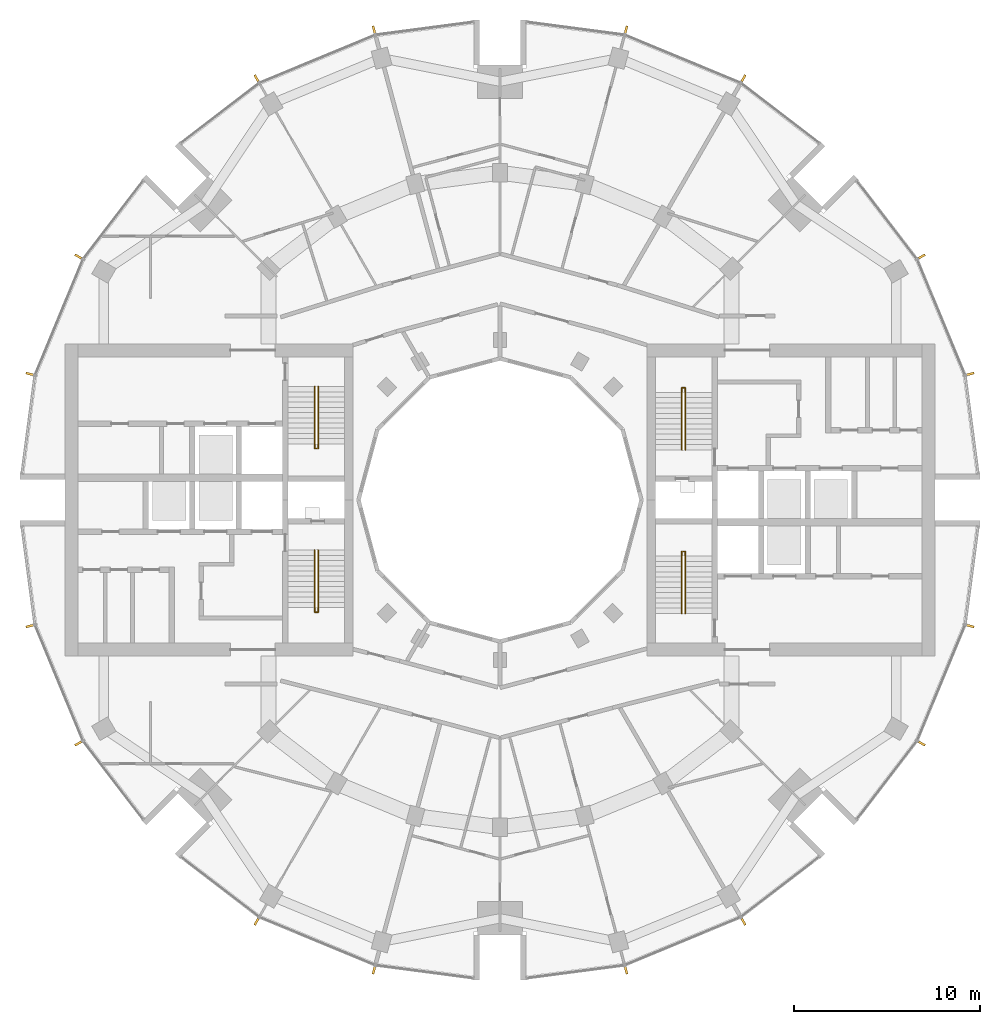
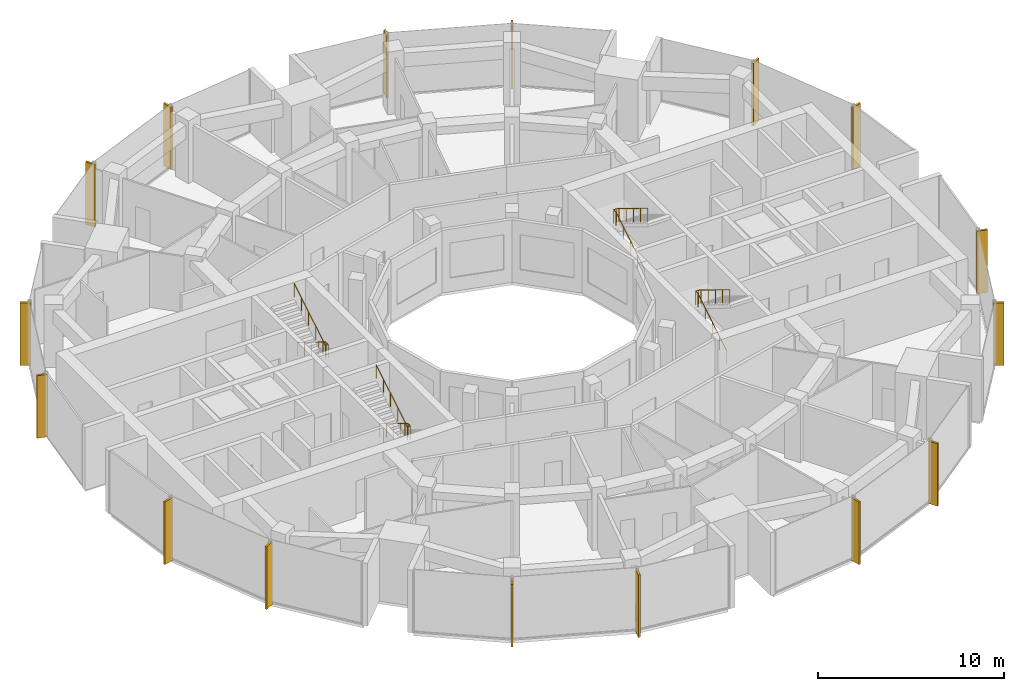
# One storey, part 14 of 15: 16 shading devices, 4 railings.
"""IFC4 building model written with IfcOpenShell, lengths in metres."""

from ifc_helpers import new_model, si_unit, direction, frame, origin, origin_2d, place, context, subcontext, project, spatial, rectangle, circle, extrude, material, material_profile, profile_set, type_object, element, save


model = new_model("IFC4")

# Units and contexts
model_context = context("Model", 3, precision=1e-05, world=origin(), true_north=direction((0.0, 1.0)))
body_context = subcontext(model_context, "Body", "Model", "MODEL_VIEW")
ifc_project = project(units=[si_unit("LENGTHUNIT", "METRE"), si_unit("AREAUNIT", "SQUARE_METRE"), si_unit("VOLUMEUNIT", "CUBIC_METRE"), si_unit("PLANEANGLEUNIT", "RADIAN"), si_unit("MASSUNIT", "GRAM", prefix="KILO")], contexts=[model_context])

# Site, building, storey
site_placement = place(None, origin())
site = spatial("IfcSite", under=ifc_project, at=site_placement, CompositionType="ELEMENT")
building_placement = place(site_placement, origin())
building = spatial("IfcBuilding", under=site, at=building_placement, Name="Torre Brocal", CompositionType="ELEMENT")
storey_placement = place(building_placement, frame((0.0, 0.0, 202.800048828125)))
storey = spatial("IfcBuildingStorey", under=building, at=storey_placement, Name="L47", CompositionType="ELEMENT", Elevation=202.800048828125)

# Shading devices
ifc_material_1 = material(Name="Aluminium, black anodised", Category="aluminium")
ifc_material_profile = material_profile(ifc_material_1, rectangle(XDim=0.1201171875, YDim=0.60009765625, at=origin_2d()), Name="FIN 120X600 4100 HIGH")
ifc_profile_set = profile_set([ifc_material_profile], Name="Aluminium, black anodised")
shading_device_type = type_object("IfcShadingDeviceType", Name="FIN 120X600 4100 HIGH", PredefinedType="USERDEFINED", material=ifc_profile_set)
for number, where, z_axis, x_axis, name in (
    (1, (105.208984375, 81.754638671875, -0.150146484375), (0.0, 0.0, 1.0), (-0.258819045103, 0.965925826289, 0.0), "FIN"),
    (2, (102.601806640625, 88.049072265625, -0.150146484375), (0.0, 0.0, 1.0), (-0.5, 0.866025403784, 0.0), "FIN"),
    (3, (93.049072265625, 97.601806640625, -0.150146484375), (0.0, 0.0, 1.0), (-0.866025403784, 0.5, 0.0), "FIN"),
    (4, (86.754638671875, 100.208984375, -0.150146484375), (0.0, 0.0, 1.0), (-0.965925826289, 0.258819045103, 0.0), "FIN"),
    (5, (73.245361328125, 100.208984375, -0.150146484375), (0.0, 0.0, 1.0), (-0.965925826289, -0.258819045103, 0.0), "FIN"),
    (6, (66.950927734375, 97.601806640625, -0.150146484375), (0.0, 0.0, 1.0), (-0.866025403784, -0.5, 0.0), "FIN"),
    (7, (57.398193359375, 88.049072265625, -0.150146484375), (0.0, 0.0, 1.0), (-0.5, -0.866025403784, 0.0), "FIN"),
    (8, (54.791015625, 81.754638671875, -0.150146484375), (0.0, 0.0, 1.0), (-0.258819045103, -0.965925826289, 0.0), "FIN"),
    (9, (54.791015625, 68.245361328125, -0.150146484375), (0.0, 0.0, 1.0), (0.258819045103, -0.965925826289, 0.0), "FIN"),
    (10, (57.398193359375, 61.950927734375, -0.150146484375), (0.0, 0.0, 1.0), (0.5, -0.866025403784, 0.0), "FIN"),
    (11, (66.950927734375, 52.398193359375, -0.150146484375), (0.0, 0.0, 1.0), (0.866025403784, -0.5, 0.0), "FIN"),
    (12, (73.245361328125, 49.791015625, -0.150146484375), (0.0, 0.0, 1.0), (0.965925826289, -0.258819045103, 0.0), "FIN"),
    (13, (86.754638671875, 49.791015625, -0.150146484375), (0.0, 0.0, 1.0), (0.965925826289, 0.258819045103, 0.0), "FIN"),
    (14, (93.049072265625, 52.398193359375, -0.150146484375), (0.0, 0.0, 1.0), (0.866025403784, 0.5, 0.0), "FIN"),
    (15, (102.601806640625, 61.950927734375, -0.150146484375), (0.0, 0.0, 1.0), (0.5, 0.866025403784, 0.0), "FIN"),
    (16, (105.208984375, 68.245361328125, -0.150146484375), (0.0, 0.0, 1.0), (0.258819045103, 0.965925826289, 0.0), "FIN"),
):
    element("IfcShadingDevice", number, at=place(storey_placement, frame(where, z_axis=z_axis, x_axis=x_axis)), inside=storey, type_object=shading_device_type, Name=name, ObjectType="FIN", PredefinedType="USERDEFINED", context=body_context, shape_type="SweptSolid", body=[
        extrude(rectangle(XDim=0.1201171875, YDim=0.60009765625, at=origin_2d()), origin(), (0.0, 0.0, 1.0), 4.10009765625),
    ])

# Railings
ifc_material_2 = material(Name="Stainless steel AISI 316", Category="steel")
railing_type = type_object("IfcRailingType", Name="STAIR HANDRAIL", PredefinedType="HANDRAIL", material=ifc_material_2)
railing_1_placement = place(storey_placement, frame((89.780029296875, 77.699951171875, 0.1708984375)))
element("IfcRailing", 17, at=railing_1_placement, inside=storey, type_object=railing_type, Name="HANDRAIL ST1", PredefinedType="HANDRAIL", context=body_context, shape_type="SweptSolid", body=[
    extrude(circle(Radius=0.02392578125, at=origin_2d()), frame((0.0, 0.0, 0.8759765625), z_axis=(0.0, 0.853666305674, 0.52082035152), x_axis=(-1.0, 0.0, 0.0)), (0.0, 0.0, 1.0), 3.608154296875),
    extrude(circle(Radius=0.02392578125, at=origin_2d()), frame((0.0, 3.080078125, 2.7548828125), z_axis=(0.0, 1.0, 0.0), x_axis=(-1.0, 0.0, 0.0)), (0.0, 0.0, 1.0), 0.25),
    extrude(circle(Radius=0.02392578125, at=origin_2d()), frame((0.0, 3.330078125, 2.7548828125), z_axis=(1.0, 0.0, 0.0), x_axis=(0.0, 1.0, 0.0)), (0.0, 0.0, 1.0), 0.18994140625),
    extrude(circle(Radius=0.02392578125, at=origin_2d()), frame((0.18994140625, 3.330078125, 2.7548828125), z_axis=(0.0, -0.825920066408, 0.563787232832), x_axis=(1.0, 0.0, 0.0)), (0.0, 0.0, 1.0), 0.302734375),
    extrude(circle(Radius=0.02392578125, at=origin_2d()), frame((0.18994140625, 3.080078125, 2.92578125), z_axis=(0.0, -0.853666305674, 0.52082035152), x_axis=(1.0, 0.0, 0.0)), (0.0, 0.0, 1.0), 3.608154296875),
    extrude(circle(Radius=0.02099609375, at=origin_2d()), origin(), (0.0, 0.0, 1.0), 0.851806640625),
    extrude(circle(Radius=0.02099609375, at=origin_2d()), frame((0.0, 0.77001953125, 0.4697265625)), (0.0, 0.0, 1.0), 0.851806640625),
    extrude(circle(Radius=0.02099609375, at=origin_2d()), frame((0.0, 1.5400390625, 0.939453125)), (0.0, 0.0, 1.0), 0.851806640625),
    extrude(circle(Radius=0.02099609375, at=origin_2d()), frame((0.0, 2.31005859375, 1.409423828125)), (0.0, 0.0, 1.0), 0.851806640625),
    extrude(circle(Radius=0.02099609375, at=origin_2d()), frame((0.0, 3.080078125, 1.879150390625)), (0.0, 0.0, 1.0), 0.851806640625),
    extrude(circle(Radius=0.02099609375, at=origin_2d()), frame((0.0, 3.330078125, 1.879150390625)), (0.0, 0.0, 1.0), 0.851806640625),
    extrude(circle(Radius=0.02099609375, at=origin_2d()), frame((0.18994140625, 3.330078125, 1.879150390625)), (0.0, 0.0, 1.0), 0.851806640625),
    extrude(circle(Radius=0.02099609375, at=origin_2d()), frame((0.18994140625, 3.080078125, 2.0498046875)), (0.0, 0.0, 1.0), 0.851806640625),
    extrude(circle(Radius=0.02099609375, at=origin_2d()), frame((0.18994140625, 2.31005859375, 2.51953125)), (0.0, 0.0, 1.0), 0.851806640625),
    extrude(circle(Radius=0.02099609375, at=origin_2d()), frame((0.18994140625, 1.5400390625, 2.9892578125)), (0.0, 0.0, 1.0), 0.851806640625),
    extrude(circle(Radius=0.02099609375, at=origin_2d()), frame((0.18994140625, 0.77001953125, 3.459228515625)), (0.0, 0.0, 1.0), 0.851806640625),
    extrude(circle(Radius=0.02099609375, at=origin_2d()), frame((0.18994140625, 0.0, 3.928955078125)), (0.0, 0.0, 1.0), 0.851806640625),
])
railing_2_placement = place(storey_placement, frame((89.780029296875, 68.89990234375, 0.1708984375)))
element("IfcRailing", 18, at=railing_2_placement, inside=storey, type_object=railing_type, Name="HANDRAIL ST2", PredefinedType="HANDRAIL", context=body_context, shape_type="SweptSolid", body=[
    extrude(circle(Radius=0.02392578125, at=origin_2d()), frame((0.0, 0.0, 0.8759765625), z_axis=(0.0, 0.853666305674, 0.52082035152), x_axis=(-1.0, 0.0, 0.0)), (0.0, 0.0, 1.0), 3.608154296875),
    extrude(circle(Radius=0.02392578125, at=origin_2d()), frame((0.0, 3.080078125, 2.7548828125), z_axis=(0.0, 1.0, 0.0), x_axis=(-1.0, 0.0, 0.0)), (0.0, 0.0, 1.0), 0.25),
    extrude(circle(Radius=0.02392578125, at=origin_2d()), frame((0.0, 3.330078125, 2.7548828125), z_axis=(1.0, 0.0, 0.0), x_axis=(0.0, 1.0, 0.0)), (0.0, 0.0, 1.0), 0.18994140625),
    extrude(circle(Radius=0.02392578125, at=origin_2d()), frame((0.18994140625, 3.330078125, 2.7548828125), z_axis=(0.0, -0.825920066408, 0.563787232832), x_axis=(1.0, 0.0, 0.0)), (0.0, 0.0, 1.0), 0.302734375),
    extrude(circle(Radius=0.02392578125, at=origin_2d()), frame((0.18994140625, 3.080078125, 2.92578125), z_axis=(0.0, -0.853666305674, 0.52082035152), x_axis=(1.0, 0.0, 0.0)), (0.0, 0.0, 1.0), 3.608154296875),
    extrude(circle(Radius=0.02099609375, at=origin_2d()), origin(), (0.0, 0.0, 1.0), 0.851806640625),
    extrude(circle(Radius=0.02099609375, at=origin_2d()), frame((0.0, 0.77001953125, 0.4697265625)), (0.0, 0.0, 1.0), 0.851806640625),
    extrude(circle(Radius=0.02099609375, at=origin_2d()), frame((0.0, 1.5400390625, 0.939453125)), (0.0, 0.0, 1.0), 0.851806640625),
    extrude(circle(Radius=0.02099609375, at=origin_2d()), frame((0.0, 2.31005859375, 1.409423828125)), (0.0, 0.0, 1.0), 0.851806640625),
    extrude(circle(Radius=0.02099609375, at=origin_2d()), frame((0.0, 3.080078125, 1.879150390625)), (0.0, 0.0, 1.0), 0.851806640625),
    extrude(circle(Radius=0.02099609375, at=origin_2d()), frame((0.0, 3.330078125, 1.879150390625)), (0.0, 0.0, 1.0), 0.851806640625),
    extrude(circle(Radius=0.02099609375, at=origin_2d()), frame((0.18994140625, 3.330078125, 1.879150390625)), (0.0, 0.0, 1.0), 0.851806640625),
    extrude(circle(Radius=0.02099609375, at=origin_2d()), frame((0.18994140625, 3.080078125, 2.0498046875)), (0.0, 0.0, 1.0), 0.851806640625),
    extrude(circle(Radius=0.02099609375, at=origin_2d()), frame((0.18994140625, 2.31005859375, 2.51953125)), (0.0, 0.0, 1.0), 0.851806640625),
    extrude(circle(Radius=0.02099609375, at=origin_2d()), frame((0.18994140625, 1.5400390625, 2.9892578125)), (0.0, 0.0, 1.0), 0.851806640625),
    extrude(circle(Radius=0.02099609375, at=origin_2d()), frame((0.18994140625, 0.77001953125, 3.459228515625)), (0.0, 0.0, 1.0), 0.851806640625),
    extrude(circle(Radius=0.02099609375, at=origin_2d()), frame((0.18994140625, 0.0, 3.928955078125)), (0.0, 0.0, 1.0), 0.851806640625),
])
railing_3_placement = place(storey_placement, frame((70.219970703125, 72.300048828125, 0.1708984375)))
element("IfcRailing", 19, at=railing_3_placement, inside=storey, type_object=railing_type, Name="HANDRAIL ST3", PredefinedType="HANDRAIL", context=body_context, shape_type="SweptSolid", body=[
    extrude(circle(Radius=0.02392578125, at=origin_2d()), frame((0.0, 0.0, 0.8759765625), z_axis=(0.0, -0.853666305674, 0.52082035152), x_axis=(1.0, 0.0, 0.0)), (0.0, 0.0, 1.0), 3.608154296875),
    extrude(circle(Radius=0.02392578125, at=origin_2d()), frame((0.0, -3.080078125, 2.7548828125), z_axis=(0.0, -1.0, 0.0), x_axis=(1.0, 0.0, 0.0)), (0.0, 0.0, 1.0), 0.25),
    extrude(circle(Radius=0.02392578125, at=origin_2d()), frame((0.0, -3.330078125, 2.7548828125), z_axis=(-1.0, 0.0, 0.0), x_axis=(0.0, -1.0, 0.0)), (0.0, 0.0, 1.0), 0.18994140625),
    extrude(circle(Radius=0.02392578125, at=origin_2d()), frame((-0.18994140625, -3.330078125, 2.7548828125), z_axis=(0.0, 0.825920066408, 0.563787232832), x_axis=(-1.0, 0.0, 0.0)), (0.0, 0.0, 1.0), 0.302734375),
    extrude(circle(Radius=0.02392578125, at=origin_2d()), frame((-0.18994140625, -3.080078125, 2.92578125), z_axis=(0.0, 0.853666305674, 0.52082035152), x_axis=(-1.0, 0.0, 0.0)), (0.0, 0.0, 1.0), 3.608154296875),
    extrude(circle(Radius=0.02099609375, at=origin_2d()), origin(), (0.0, 0.0, 1.0), 0.851806640625),
    extrude(circle(Radius=0.02099609375, at=origin_2d()), frame((0.0, -0.77001953125, 0.4697265625)), (0.0, 0.0, 1.0), 0.851806640625),
    extrude(circle(Radius=0.02099609375, at=origin_2d()), frame((0.0, -1.5400390625, 0.939453125)), (0.0, 0.0, 1.0), 0.851806640625),
    extrude(circle(Radius=0.02099609375, at=origin_2d()), frame((0.0, -2.31005859375, 1.409423828125)), (0.0, 0.0, 1.0), 0.851806640625),
    extrude(circle(Radius=0.02099609375, at=origin_2d()), frame((0.0, -3.080078125, 1.879150390625)), (0.0, 0.0, 1.0), 0.851806640625),
    extrude(circle(Radius=0.02099609375, at=origin_2d()), frame((0.0, -3.330078125, 1.879150390625)), (0.0, 0.0, 1.0), 0.851806640625),
    extrude(circle(Radius=0.02099609375, at=origin_2d()), frame((-0.18994140625, -3.330078125, 1.879150390625)), (0.0, 0.0, 1.0), 0.851806640625),
    extrude(circle(Radius=0.02099609375, at=origin_2d()), frame((-0.18994140625, -3.080078125, 2.0498046875)), (0.0, 0.0, 1.0), 0.851806640625),
    extrude(circle(Radius=0.02099609375, at=origin_2d()), frame((-0.18994140625, -2.31005859375, 2.51953125)), (0.0, 0.0, 1.0), 0.851806640625),
    extrude(circle(Radius=0.02099609375, at=origin_2d()), frame((-0.18994140625, -1.5400390625, 2.9892578125)), (0.0, 0.0, 1.0), 0.851806640625),
    extrude(circle(Radius=0.02099609375, at=origin_2d()), frame((-0.18994140625, -0.77001953125, 3.459228515625)), (0.0, 0.0, 1.0), 0.851806640625),
    extrude(circle(Radius=0.02099609375, at=origin_2d()), frame((-0.18994140625, 0.0, 3.928955078125)), (0.0, 0.0, 1.0), 0.851806640625),
])
railing_4_placement = place(storey_placement, frame((70.219970703125, 81.10009765625, 0.1708984375)))
element("IfcRailing", 20, at=railing_4_placement, inside=storey, type_object=railing_type, Name="HANDRAIL ST4", PredefinedType="HANDRAIL", context=body_context, shape_type="SweptSolid", body=[
    extrude(circle(Radius=0.02392578125, at=origin_2d()), frame((0.0, 0.0, 0.8759765625), z_axis=(0.0, -0.853666305674, 0.52082035152), x_axis=(1.0, 0.0, 0.0)), (0.0, 0.0, 1.0), 3.608154296875),
    extrude(circle(Radius=0.02392578125, at=origin_2d()), frame((0.0, -3.080078125, 2.7548828125), z_axis=(0.0, -1.0, 0.0), x_axis=(1.0, 0.0, 0.0)), (0.0, 0.0, 1.0), 0.25),
    extrude(circle(Radius=0.02392578125, at=origin_2d()), frame((0.0, -3.330078125, 2.7548828125), z_axis=(-1.0, 0.0, 0.0), x_axis=(0.0, -1.0, 0.0)), (0.0, 0.0, 1.0), 0.18994140625),
    extrude(circle(Radius=0.02392578125, at=origin_2d()), frame((-0.18994140625, -3.330078125, 2.7548828125), z_axis=(0.0, 0.825920066408, 0.563787232832), x_axis=(-1.0, 0.0, 0.0)), (0.0, 0.0, 1.0), 0.302734375),
    extrude(circle(Radius=0.02392578125, at=origin_2d()), frame((-0.18994140625, -3.080078125, 2.92578125), z_axis=(0.0, 0.853666305674, 0.52082035152), x_axis=(-1.0, 0.0, 0.0)), (0.0, 0.0, 1.0), 3.608154296875),
    extrude(circle(Radius=0.02099609375, at=origin_2d()), origin(), (0.0, 0.0, 1.0), 0.851806640625),
    extrude(circle(Radius=0.02099609375, at=origin_2d()), frame((0.0, -0.77001953125, 0.4697265625)), (0.0, 0.0, 1.0), 0.851806640625),
    extrude(circle(Radius=0.02099609375, at=origin_2d()), frame((0.0, -1.5400390625, 0.939453125)), (0.0, 0.0, 1.0), 0.851806640625),
    extrude(circle(Radius=0.02099609375, at=origin_2d()), frame((0.0, -2.31005859375, 1.409423828125)), (0.0, 0.0, 1.0), 0.851806640625),
    extrude(circle(Radius=0.02099609375, at=origin_2d()), frame((0.0, -3.080078125, 1.879150390625)), (0.0, 0.0, 1.0), 0.851806640625),
    extrude(circle(Radius=0.02099609375, at=origin_2d()), frame((0.0, -3.330078125, 1.879150390625)), (0.0, 0.0, 1.0), 0.851806640625),
    extrude(circle(Radius=0.02099609375, at=origin_2d()), frame((-0.18994140625, -3.330078125, 1.879150390625)), (0.0, 0.0, 1.0), 0.851806640625),
    extrude(circle(Radius=0.02099609375, at=origin_2d()), frame((-0.18994140625, -3.080078125, 2.0498046875)), (0.0, 0.0, 1.0), 0.851806640625),
    extrude(circle(Radius=0.02099609375, at=origin_2d()), frame((-0.18994140625, -2.31005859375, 2.51953125)), (0.0, 0.0, 1.0), 0.851806640625),
    extrude(circle(Radius=0.02099609375, at=origin_2d()), frame((-0.18994140625, -1.5400390625, 2.9892578125)), (0.0, 0.0, 1.0), 0.851806640625),
    extrude(circle(Radius=0.02099609375, at=origin_2d()), frame((-0.18994140625, -0.77001953125, 3.459228515625)), (0.0, 0.0, 1.0), 0.851806640625),
    extrude(circle(Radius=0.02099609375, at=origin_2d()), frame((-0.18994140625, 0.0, 3.928955078125)), (0.0, 0.0, 1.0), 0.851806640625),
])

save(model, "model.ifc")
